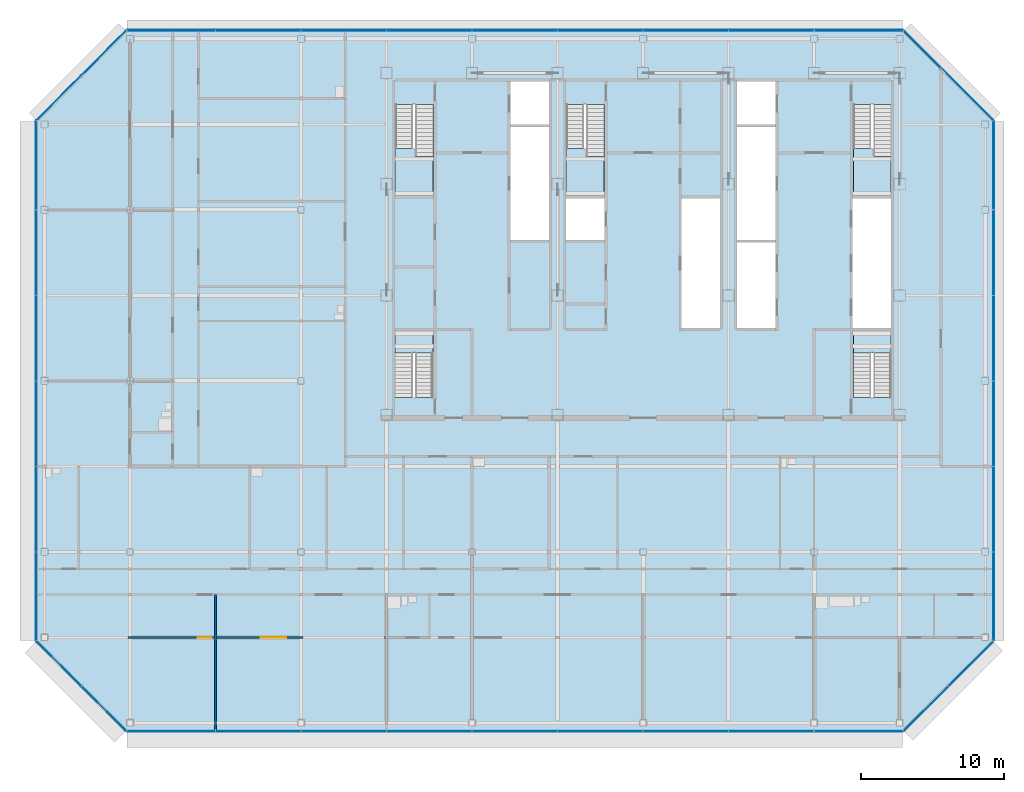
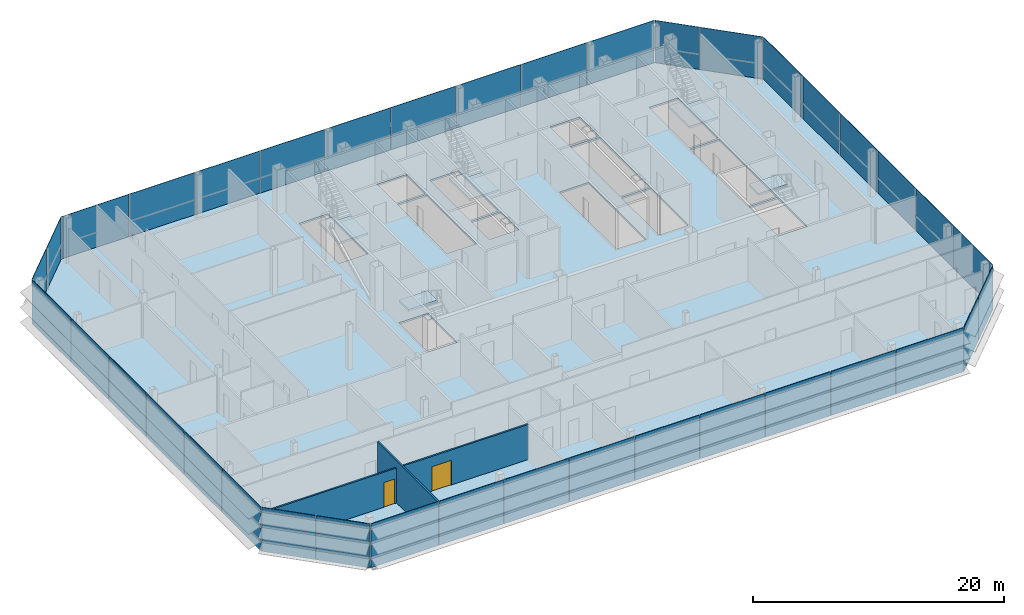
# One storey, part 20 of 29: 38 plates, 6 slabs, 2 doors, 2 walls, 2 openings, 13 elements without a shape of their own.
"""IFC4 building model written with IfcOpenShell, lengths in metres."""

from ifc_helpers import new_model, si_unit, direction, frame, frame_2d, origin, origin_2d, place, context, subcontext, project, spatial, polyline, rectangle, outline, extrude, material, layer, layer_set, type_object, element, fill, aggregate, save


model = new_model("IFC4")

# Units and contexts
model_context = context("Model", 3, precision=1e-05, world=origin(), true_north=direction((0.0, 1.0)))
body_context = subcontext(model_context, "Body", "Model", "MODEL_VIEW")
ifc_project = project(units=[si_unit("LENGTHUNIT", "METRE"), si_unit("AREAUNIT", "SQUARE_METRE"), si_unit("VOLUMEUNIT", "CUBIC_METRE"), si_unit("PLANEANGLEUNIT", "RADIAN"), si_unit("MASSUNIT", "GRAM", prefix="KILO")], contexts=[model_context])

# Site, building, storey
site_placement = place(None, origin())
site = spatial("IfcSite", under=ifc_project, at=site_placement, CompositionType="ELEMENT")
building_placement = place(site_placement, origin())
building = spatial("IfcBuilding", under=site, at=building_placement, Name="Sorahane Residences", CompositionType="ELEMENT")
storey_placement = place(building_placement, frame((0.0, 0.0, 326.800048828125)))
storey = spatial("IfcBuildingStorey", under=building, at=storey_placement, Name="L78", CompositionType="ELEMENT", Elevation=326.800048828125)

# Slab
ifc_material_1 = material(Name="Concrete C35", Category="concrete")
ifc_layer_1 = layer(ifc_material_1, 0.179931640625)
ifc_layer_set_1 = layer_set([ifc_layer_1], Name="Composite floor slab 180 mm Concrete C35")
slab_type_1 = type_object("IfcSlabType", Name="Composite floor slab 180 mm Concrete C35", PredefinedType="FLOOR", material=ifc_layer_set_1)
slab_1_placement = place(storey_placement, frame((0.0, 0.0, -0.179931640625)))
element("IfcSlab", 1, at=slab_1_placement, inside=storey, type_object=slab_type_1, Name="Slab L78", PredefinedType="FLOOR", context=body_context, shape_type="SweptSolid", body=[
    extrude(outline(polyline([(-12.24853515625, -0.60009765625), (-18.60009765625, 5.75146484375), (-18.60009765625, 42.24853515625), (-12.24853515625, 48.60009765625), (42.24853515625, 48.60009765625), (48.60009765625, 42.24853515625), (48.60009765625, 5.75146484375), (42.24853515625, -0.60009765625), (-12.24853515625, -0.60009765625)]), holes=[polyline([(38.699951171875, 27.699951171875), (41.39990234375, 27.699951171875), (41.39990234375, 36.800048828125), (38.699951171875, 36.800048828125), (38.699951171875, 27.699951171875)]), polyline([(30.60009765625, 27.699951171875), (33.300048828125, 27.699951171875), (33.300048828125, 33.699951171875), (30.60009765625, 33.699951171875), (30.60009765625, 27.699951171875)]), polyline([(30.60009765625, 42.0), (33.300048828125, 42.0), (33.300048828125, 45.0), (30.60009765625, 45.0), (30.60009765625, 42.0)]), polyline([(14.699951171875, 42.0), (17.39990234375, 42.0), (17.39990234375, 45.0), (14.699951171875, 45.0), (14.699951171875, 42.0)]), polyline([(6.60009765625, 43.39990234375), (6.60009765625, 37.0), (9.25, 37.0), (9.25, 43.39990234375), (6.60009765625, 43.39990234375)]), polyline([(38.75, 43.39990234375), (38.75, 37.0), (41.39990234375, 37.0), (41.39990234375, 43.39990234375), (38.75, 43.39990234375)]), polyline([(18.60009765625, 43.39990234375), (18.60009765625, 37.0), (21.25, 37.0), (21.25, 43.39990234375), (18.60009765625, 43.39990234375)]), polyline([(9.25, 22.85009765625), (9.25, 27.5), (6.60009765625, 27.5), (6.60009765625, 22.85009765625), (9.25, 22.85009765625)]), polyline([(41.39990234375, 22.85009765625), (41.39990234375, 27.5), (38.75, 27.5), (38.75, 22.85009765625), (41.39990234375, 22.85009765625)]), polyline([(14.699951171875, 33.89990234375), (17.39990234375, 33.89990234375), (17.39990234375, 41.800048828125), (14.699951171875, 41.800048828125), (14.699951171875, 33.89990234375)]), polyline([(30.60009765625, 33.89990234375), (33.300048828125, 33.89990234375), (33.300048828125, 41.800048828125), (30.60009765625, 41.800048828125), (30.60009765625, 33.89990234375)]), polyline([(18.60009765625, 33.89990234375), (21.300048828125, 33.89990234375), (21.300048828125, 36.800048828125), (18.60009765625, 36.800048828125), (18.60009765625, 33.89990234375)]), polyline([(26.699951171875, 27.699951171875), (29.39990234375, 27.699951171875), (29.39990234375, 36.800048828125), (26.699951171875, 36.800048828125), (26.699951171875, 27.699951171875)])]), origin(), (0.0, 0.0, 1.0), 0.179931640625),
])

# Curtain wall, plates
ifc_material_2 = material(Name="Dark low-e glass and black anodised aluminium", Category="aluminium")
curtain_wall_type_1 = type_object("IfcCurtainWallType", Name="Curtain wall CW-1 Typical unitised wall", PredefinedType="NOTDEFINED", material=ifc_material_2)
curtain_wall_1_placement = place(storey_placement, origin())
curtain_wall_1 = element("IfcCurtainWall", 2, at=curtain_wall_1_placement, inside=storey, type_object=curtain_wall_type_1, Name="CW-1 curtain wall L78 S1", PredefinedType="NOTDEFINED")
ifc_material_3 = material(Name="Dark low-e glass with black ceramic frit", Category="glass")
ifc_layer_2 = layer(ifc_material_3, 0.0400390625)
ifc_layer_set_2 = layer_set([ifc_layer_2], Name="Curtain wall glass panel dark low-e with black frit spandrel band")
plate_type = type_object("IfcPlateType", Name="Curtain wall glass panel dark low-e with black frit spandrel band", PredefinedType="CURTAIN_PANEL", material=ifc_layer_set_2)
plate_1_placement = place(storey_placement, frame((-9.11181640625, -0.60009765625, -0.18017578125), z_axis=(0.0, 0.0, 1.0), x_axis=(1.0, 0.0, 0.0)))
plate_1 = element("IfcPlate", 3, at=plate_1_placement, type_object=plate_type, Name="CW-1 glass panel L78 S1.1", PredefinedType="CURTAIN_PANEL", context=body_context, shape_type="SweptSolid", body=[
    extrude(rectangle(XDim=6.173583984375, YDim=0.0400390625, at=origin_2d()), origin(), (0.0, 0.0, 1.0), 4.280029296875),
])
plate_2_placement = place(storey_placement, frame((-3.0, -0.60009765625, -0.18017578125), z_axis=(0.0, 0.0, 1.0), x_axis=(1.0, 0.0, 0.0)))
plate_2 = element("IfcPlate", 4, at=plate_2_placement, type_object=plate_type, Name="CW-1 glass panel L78 S1.2", PredefinedType="CURTAIN_PANEL", context=body_context, shape_type="SweptSolid", body=[
    extrude(rectangle(XDim=5.949951171875, YDim=0.0400390625, at=origin_2d()), origin(), (0.0, 0.0, 1.0), 4.280029296875),
])
plate_3_placement = place(storey_placement, frame((3.0, -0.60009765625, -0.18017578125), z_axis=(0.0, 0.0, 1.0), x_axis=(1.0, 0.0, 0.0)))
plate_3 = element("IfcPlate", 5, at=plate_3_placement, type_object=plate_type, Name="CW-1 glass panel L78 S1.3", PredefinedType="CURTAIN_PANEL", context=body_context, shape_type="SweptSolid", body=[
    extrude(rectangle(XDim=5.949951171875, YDim=0.0400390625, at=origin_2d()), origin(), (0.0, 0.0, 1.0), 4.280029296875),
])
plate_4_placement = place(storey_placement, frame((9.0, -0.60009765625, -0.18017578125), z_axis=(0.0, 0.0, 1.0), x_axis=(1.0, 0.0, 0.0)))
plate_4 = element("IfcPlate", 6, at=plate_4_placement, type_object=plate_type, Name="CW-1 glass panel L78 S1.4", PredefinedType="CURTAIN_PANEL", context=body_context, shape_type="SweptSolid", body=[
    extrude(rectangle(XDim=5.949951171875, YDim=0.0400390625, at=origin_2d()), origin(), (0.0, 0.0, 1.0), 4.280029296875),
])
plate_5_placement = place(storey_placement, frame((15.0, -0.60009765625, -0.18017578125), z_axis=(0.0, 0.0, 1.0), x_axis=(1.0, 0.0, 0.0)))
plate_5 = element("IfcPlate", 7, at=plate_5_placement, type_object=plate_type, Name="CW-1 glass panel L78 S1.5", PredefinedType="CURTAIN_PANEL", context=body_context, shape_type="SweptSolid", body=[
    extrude(rectangle(XDim=5.949951171875, YDim=0.0400390625, at=origin_2d()), origin(), (0.0, 0.0, 1.0), 4.280029296875),
])
plate_6_placement = place(storey_placement, frame((21.0, -0.60009765625, -0.18017578125), z_axis=(0.0, 0.0, 1.0), x_axis=(1.0, 0.0, 0.0)))
plate_6 = element("IfcPlate", 8, at=plate_6_placement, type_object=plate_type, Name="CW-1 glass panel L78 S1.6", PredefinedType="CURTAIN_PANEL", context=body_context, shape_type="SweptSolid", body=[
    extrude(rectangle(XDim=5.949951171875, YDim=0.0400390625, at=origin_2d()), origin(), (0.0, 0.0, 1.0), 4.280029296875),
])
plate_7_placement = place(storey_placement, frame((27.0, -0.60009765625, -0.18017578125), z_axis=(0.0, 0.0, 1.0), x_axis=(1.0, 0.0, 0.0)))
plate_7 = element("IfcPlate", 9, at=plate_7_placement, type_object=plate_type, Name="CW-1 glass panel L78 S1.7", PredefinedType="CURTAIN_PANEL", context=body_context, shape_type="SweptSolid", body=[
    extrude(rectangle(XDim=5.949951171875, YDim=0.0400390625, at=origin_2d()), origin(), (0.0, 0.0, 1.0), 4.280029296875),
])
plate_8_placement = place(storey_placement, frame((33.0, -0.60009765625, -0.18017578125), z_axis=(0.0, 0.0, 1.0), x_axis=(1.0, 0.0, 0.0)))
plate_8 = element("IfcPlate", 10, at=plate_8_placement, type_object=plate_type, Name="CW-1 glass panel L78 S1.8", PredefinedType="CURTAIN_PANEL", context=body_context, shape_type="SweptSolid", body=[
    extrude(rectangle(XDim=5.949951171875, YDim=0.0400390625, at=origin_2d()), origin(), (0.0, 0.0, 1.0), 4.280029296875),
])
plate_9_placement = place(storey_placement, frame((39.11181640625, -0.60009765625, -0.18017578125), z_axis=(0.0, 0.0, 1.0), x_axis=(1.0, 0.0, 0.0)))
plate_9 = element("IfcPlate", 11, at=plate_9_placement, type_object=plate_type, Name="CW-1 glass panel L78 S1.9", PredefinedType="CURTAIN_PANEL", context=body_context, shape_type="SweptSolid", body=[
    extrude(rectangle(XDim=6.173583984375, YDim=0.0400390625, at=origin_2d()), origin(), (0.0, 0.0, 1.0), 4.280029296875),
])
aggregate(curtain_wall_1, [plate_1, plate_2, plate_3, plate_4, plate_5, plate_6, plate_7, plate_8, plate_9])

ifc_material_4 = material(Name="Dark low-e glass and black anodised aluminium", Category="aluminium")
curtain_wall_type_2 = type_object("IfcCurtainWallType", Name="Curtain wall CW-2 Chamfer unitised wall", PredefinedType="NOTDEFINED", material=ifc_material_4)
curtain_wall_2_placement = place(storey_placement, origin())
curtain_wall_2 = element("IfcCurtainWall", 12, at=curtain_wall_2_placement, inside=storey, type_object=curtain_wall_type_2, Name="CW-2 curtain wall L78 SE1", PredefinedType="NOTDEFINED")
plate_10_placement = place(storey_placement, frame((43.84521484375, 0.996826171875, -0.18017578125), z_axis=(0.0, 0.0, 1.0), x_axis=(0.707106781187, 0.707106781187, 0.0)))
plate_10 = element("IfcPlate", 13, at=plate_10_placement, type_object=plate_type, Name="CW-2 glass panel L78 SE1.1", PredefinedType="CURTAIN_PANEL", context=body_context, shape_type="SweptSolid", body=[
    extrude(rectangle(XDim=4.416259765625, YDim=0.0400390625, at=origin_2d()), origin(), (0.0, 0.0, 1.0), 4.280029296875),
])
plate_11_placement = place(storey_placement, frame((47.003173828125, 4.15478515625, -0.18017578125), z_axis=(0.0, 0.0, 1.0), x_axis=(0.707106781187, 0.707106781187, 0.0)))
plate_11 = element("IfcPlate", 14, at=plate_11_placement, type_object=plate_type, Name="CW-2 glass panel L78 SE1.2", PredefinedType="CURTAIN_PANEL", context=body_context, shape_type="SweptSolid", body=[
    extrude(rectangle(XDim=4.416259765625, YDim=0.0400390625, at=origin_2d()), origin(), (0.0, 0.0, 1.0), 4.280029296875),
])
aggregate(curtain_wall_2, [plate_10, plate_11])

curtain_wall_3_placement = place(storey_placement, origin())
curtain_wall_3 = element("IfcCurtainWall", 15, at=curtain_wall_3_placement, inside=storey, type_object=curtain_wall_type_1, Name="CW-1 curtain wall L78 E1", PredefinedType="NOTDEFINED")
plate_12_placement = place(storey_placement, frame((48.60009765625, 8.88818359375, -0.18017578125), z_axis=(0.0, 0.0, 1.0), x_axis=(0.0, 1.0, 0.0)))
plate_12 = element("IfcPlate", 16, at=plate_12_placement, type_object=plate_type, Name="CW-1 glass panel L78 E1.1", PredefinedType="CURTAIN_PANEL", context=body_context, shape_type="SweptSolid", body=[
    extrude(rectangle(XDim=6.173583984375, YDim=0.0400390625, at=origin_2d()), origin(), (0.0, 0.0, 1.0), 4.280029296875),
])
plate_13_placement = place(storey_placement, frame((48.60009765625, 15.0, -0.18017578125), z_axis=(0.0, 0.0, 1.0), x_axis=(0.0, 1.0, 0.0)))
plate_13 = element("IfcPlate", 17, at=plate_13_placement, type_object=plate_type, Name="CW-1 glass panel L78 E1.2", PredefinedType="CURTAIN_PANEL", context=body_context, shape_type="SweptSolid", body=[
    extrude(rectangle(XDim=5.949951171875, YDim=0.0400390625, at=origin_2d()), origin(), (0.0, 0.0, 1.0), 4.280029296875),
])
plate_14_placement = place(storey_placement, frame((48.60009765625, 21.0, -0.18017578125), z_axis=(0.0, 0.0, 1.0), x_axis=(0.0, 1.0, 0.0)))
plate_14 = element("IfcPlate", 18, at=plate_14_placement, type_object=plate_type, Name="CW-1 glass panel L78 E1.3", PredefinedType="CURTAIN_PANEL", context=body_context, shape_type="SweptSolid", body=[
    extrude(rectangle(XDim=5.949951171875, YDim=0.0400390625, at=origin_2d()), origin(), (0.0, 0.0, 1.0), 4.280029296875),
])
plate_15_placement = place(storey_placement, frame((48.60009765625, 27.0, -0.18017578125), z_axis=(0.0, 0.0, 1.0), x_axis=(0.0, 1.0, 0.0)))
plate_15 = element("IfcPlate", 19, at=plate_15_placement, type_object=plate_type, Name="CW-1 glass panel L78 E1.4", PredefinedType="CURTAIN_PANEL", context=body_context, shape_type="SweptSolid", body=[
    extrude(rectangle(XDim=5.949951171875, YDim=0.0400390625, at=origin_2d()), origin(), (0.0, 0.0, 1.0), 4.280029296875),
])
plate_16_placement = place(storey_placement, frame((48.60009765625, 33.0, -0.18017578125), z_axis=(0.0, 0.0, 1.0), x_axis=(0.0, 1.0, 0.0)))
plate_16 = element("IfcPlate", 20, at=plate_16_placement, type_object=plate_type, Name="CW-1 glass panel L78 E1.5", PredefinedType="CURTAIN_PANEL", context=body_context, shape_type="SweptSolid", body=[
    extrude(rectangle(XDim=5.949951171875, YDim=0.0400390625, at=origin_2d()), origin(), (0.0, 0.0, 1.0), 4.280029296875),
])
plate_17_placement = place(storey_placement, frame((48.60009765625, 39.11181640625, -0.18017578125), z_axis=(0.0, 0.0, 1.0), x_axis=(0.0, 1.0, 0.0)))
plate_17 = element("IfcPlate", 21, at=plate_17_placement, type_object=plate_type, Name="CW-1 glass panel L78 E1.6", PredefinedType="CURTAIN_PANEL", context=body_context, shape_type="SweptSolid", body=[
    extrude(rectangle(XDim=6.173583984375, YDim=0.0400390625, at=origin_2d()), origin(), (0.0, 0.0, 1.0), 4.280029296875),
])
aggregate(curtain_wall_3, [plate_12, plate_13, plate_14, plate_15, plate_16, plate_17])

curtain_wall_4_placement = place(storey_placement, origin())
curtain_wall_4 = element("IfcCurtainWall", 22, at=curtain_wall_4_placement, inside=storey, type_object=curtain_wall_type_2, Name="CW-2 curtain wall L78 NE1", PredefinedType="NOTDEFINED")
plate_18_placement = place(storey_placement, frame((46.740966796875, 44.107421875, -0.18017578125), z_axis=(0.0, 0.0, 1.0), x_axis=(-0.707106781187, 0.707106781187, 0.0)))
plate_18 = element("IfcPlate", 23, at=plate_18_placement, type_object=plate_type, Name="CW-2 glass panel L78 NE1.1", PredefinedType="CURTAIN_PANEL", context=body_context, shape_type="SweptSolid", body=[
    extrude(rectangle(XDim=5.157958984375, YDim=0.0400390625, at=origin_2d()), origin(), (0.0, 0.0, 1.0), 4.280029296875),
])
plate_19_placement = place(storey_placement, frame((43.5830078125, 47.265625, -0.18017578125), z_axis=(0.0, 0.0, 1.0), x_axis=(-0.707106781187, 0.707106781187, 0.0)))
plate_19 = element("IfcPlate", 24, at=plate_19_placement, type_object=plate_type, Name="CW-2 glass panel L78 NE1.2", PredefinedType="CURTAIN_PANEL", context=body_context, shape_type="SweptSolid", body=[
    extrude(rectangle(XDim=3.67431640625, YDim=0.0400390625, at=origin_2d()), origin(), (0.0, 0.0, 1.0), 4.280029296875),
])
aggregate(curtain_wall_4, [plate_18, plate_19])

curtain_wall_5_placement = place(storey_placement, origin())
curtain_wall_5 = element("IfcCurtainWall", 25, at=curtain_wall_5_placement, inside=storey, type_object=curtain_wall_type_1, Name="CW-1 curtain wall L78 N1", PredefinedType="NOTDEFINED")
plate_20_placement = place(storey_placement, frame((39.11181640625, 48.60009765625, -0.18017578125), z_axis=(0.0, 0.0, 1.0), x_axis=(-1.0, 0.0, 0.0)))
plate_20 = element("IfcPlate", 26, at=plate_20_placement, type_object=plate_type, Name="CW-1 glass panel L78 N1.1", PredefinedType="CURTAIN_PANEL", context=body_context, shape_type="SweptSolid", body=[
    extrude(rectangle(XDim=6.173583984375, YDim=0.0400390625, at=origin_2d()), origin(), (0.0, 0.0, 1.0), 4.280029296875),
])
plate_21_placement = place(storey_placement, frame((33.0, 48.60009765625, -0.18017578125), z_axis=(0.0, 0.0, 1.0), x_axis=(-1.0, 0.0, 0.0)))
plate_21 = element("IfcPlate", 27, at=plate_21_placement, type_object=plate_type, Name="CW-1 glass panel L78 N1.2", PredefinedType="CURTAIN_PANEL", context=body_context, shape_type="SweptSolid", body=[
    extrude(rectangle(XDim=5.949951171875, YDim=0.0400390625, at=origin_2d()), origin(), (0.0, 0.0, 1.0), 4.280029296875),
])
plate_22_placement = place(storey_placement, frame((27.0, 48.60009765625, -0.18017578125), z_axis=(0.0, 0.0, 1.0), x_axis=(-1.0, 0.0, 0.0)))
plate_22 = element("IfcPlate", 28, at=plate_22_placement, type_object=plate_type, Name="CW-1 glass panel L78 N1.3", PredefinedType="CURTAIN_PANEL", context=body_context, shape_type="SweptSolid", body=[
    extrude(rectangle(XDim=5.949951171875, YDim=0.0400390625, at=origin_2d()), origin(), (0.0, 0.0, 1.0), 4.280029296875),
])
plate_23_placement = place(storey_placement, frame((21.0, 48.60009765625, -0.18017578125), z_axis=(0.0, 0.0, 1.0), x_axis=(-1.0, 0.0, 0.0)))
plate_23 = element("IfcPlate", 29, at=plate_23_placement, type_object=plate_type, Name="CW-1 glass panel L78 N1.4", PredefinedType="CURTAIN_PANEL", context=body_context, shape_type="SweptSolid", body=[
    extrude(rectangle(XDim=5.949951171875, YDim=0.0400390625, at=origin_2d()), origin(), (0.0, 0.0, 1.0), 4.280029296875),
])
plate_24_placement = place(storey_placement, frame((15.0, 48.60009765625, -0.18017578125), z_axis=(0.0, 0.0, 1.0), x_axis=(-1.0, 0.0, 0.0)))
plate_24 = element("IfcPlate", 30, at=plate_24_placement, type_object=plate_type, Name="CW-1 glass panel L78 N1.5", PredefinedType="CURTAIN_PANEL", context=body_context, shape_type="SweptSolid", body=[
    extrude(rectangle(XDim=5.949951171875, YDim=0.0400390625, at=origin_2d()), origin(), (0.0, 0.0, 1.0), 4.280029296875),
])
plate_25_placement = place(storey_placement, frame((9.0, 48.60009765625, -0.18017578125), z_axis=(0.0, 0.0, 1.0), x_axis=(-1.0, 0.0, 0.0)))
plate_25 = element("IfcPlate", 31, at=plate_25_placement, type_object=plate_type, Name="CW-1 glass panel L78 N1.6", PredefinedType="CURTAIN_PANEL", context=body_context, shape_type="SweptSolid", body=[
    extrude(rectangle(XDim=5.949951171875, YDim=0.0400390625, at=origin_2d()), origin(), (0.0, 0.0, 1.0), 4.280029296875),
])
plate_26_placement = place(storey_placement, frame((3.0, 48.60009765625, -0.18017578125), z_axis=(0.0, 0.0, 1.0), x_axis=(-1.0, 0.0, 0.0)))
plate_26 = element("IfcPlate", 32, at=plate_26_placement, type_object=plate_type, Name="CW-1 glass panel L78 N1.7", PredefinedType="CURTAIN_PANEL", context=body_context, shape_type="SweptSolid", body=[
    extrude(rectangle(XDim=5.949951171875, YDim=0.0400390625, at=origin_2d()), origin(), (0.0, 0.0, 1.0), 4.280029296875),
])
plate_27_placement = place(storey_placement, frame((-3.0, 48.60009765625, -0.18017578125), z_axis=(0.0, 0.0, 1.0), x_axis=(-1.0, 0.0, 0.0)))
plate_27 = element("IfcPlate", 33, at=plate_27_placement, type_object=plate_type, Name="CW-1 glass panel L78 N1.8", PredefinedType="CURTAIN_PANEL", context=body_context, shape_type="SweptSolid", body=[
    extrude(rectangle(XDim=5.949951171875, YDim=0.0400390625, at=origin_2d()), origin(), (0.0, 0.0, 1.0), 4.280029296875),
])
plate_28_placement = place(storey_placement, frame((-9.11181640625, 48.60009765625, -0.18017578125), z_axis=(0.0, 0.0, 1.0), x_axis=(-1.0, 0.0, 0.0)))
plate_28 = element("IfcPlate", 34, at=plate_28_placement, type_object=plate_type, Name="CW-1 glass panel L78 N1.9", PredefinedType="CURTAIN_PANEL", context=body_context, shape_type="SweptSolid", body=[
    extrude(rectangle(XDim=6.173583984375, YDim=0.0400390625, at=origin_2d()), origin(), (0.0, 0.0, 1.0), 4.280029296875),
])
aggregate(curtain_wall_5, [plate_20, plate_21, plate_22, plate_23, plate_24, plate_25, plate_26, plate_27, plate_28])

curtain_wall_6_placement = place(storey_placement, origin())
curtain_wall_6 = element("IfcCurtainWall", 35, at=curtain_wall_6_placement, inside=storey, type_object=curtain_wall_type_2, Name="CW-2 curtain wall L78 NW1", PredefinedType="NOTDEFINED")
plate_29_placement = place(storey_placement, frame((-13.84521484375, 47.003173828125, -0.18017578125), z_axis=(0.0, 0.0, 1.0), x_axis=(-0.707106781187, -0.707106781187, 0.0)))
plate_29 = element("IfcPlate", 36, at=plate_29_placement, type_object=plate_type, Name="CW-2 glass panel L78 NW1.1", PredefinedType="CURTAIN_PANEL", context=body_context, shape_type="SweptSolid", body=[
    extrude(rectangle(XDim=4.416259765625, YDim=0.0400390625, at=origin_2d()), origin(), (0.0, 0.0, 1.0), 4.280029296875),
])
plate_30_placement = place(storey_placement, frame((-17.003173828125, 43.84521484375, -0.18017578125), z_axis=(0.0, 0.0, 1.0), x_axis=(-0.707106781187, -0.707106781187, 0.0)))
plate_30 = element("IfcPlate", 37, at=plate_30_placement, type_object=plate_type, Name="CW-2 glass panel L78 NW1.2", PredefinedType="CURTAIN_PANEL", context=body_context, shape_type="SweptSolid", body=[
    extrude(rectangle(XDim=4.416259765625, YDim=0.0400390625, at=origin_2d()), origin(), (0.0, 0.0, 1.0), 4.280029296875),
])
aggregate(curtain_wall_6, [plate_29, plate_30])

curtain_wall_7_placement = place(storey_placement, origin())
curtain_wall_7 = element("IfcCurtainWall", 38, at=curtain_wall_7_placement, inside=storey, type_object=curtain_wall_type_1, Name="CW-1 curtain wall L78 W1", PredefinedType="NOTDEFINED")
plate_31_placement = place(storey_placement, frame((-18.60009765625, 39.11181640625, -0.18017578125), z_axis=(0.0, 0.0, 1.0), x_axis=(0.0, -1.0, 0.0)))
plate_31 = element("IfcPlate", 39, at=plate_31_placement, type_object=plate_type, Name="CW-1 glass panel L78 W1.1", PredefinedType="CURTAIN_PANEL", context=body_context, shape_type="SweptSolid", body=[
    extrude(rectangle(XDim=6.173583984375, YDim=0.0400390625, at=origin_2d()), origin(), (0.0, 0.0, 1.0), 4.280029296875),
])
plate_32_placement = place(storey_placement, frame((-18.60009765625, 33.0, -0.18017578125), z_axis=(0.0, 0.0, 1.0), x_axis=(0.0, -1.0, 0.0)))
plate_32 = element("IfcPlate", 40, at=plate_32_placement, type_object=plate_type, Name="CW-1 glass panel L78 W1.2", PredefinedType="CURTAIN_PANEL", context=body_context, shape_type="SweptSolid", body=[
    extrude(rectangle(XDim=5.949951171875, YDim=0.0400390625, at=origin_2d()), origin(), (0.0, 0.0, 1.0), 4.280029296875),
])
plate_33_placement = place(storey_placement, frame((-18.60009765625, 27.0, -0.18017578125), z_axis=(0.0, 0.0, 1.0), x_axis=(0.0, -1.0, 0.0)))
plate_33 = element("IfcPlate", 41, at=plate_33_placement, type_object=plate_type, Name="CW-1 glass panel L78 W1.3", PredefinedType="CURTAIN_PANEL", context=body_context, shape_type="SweptSolid", body=[
    extrude(rectangle(XDim=5.949951171875, YDim=0.0400390625, at=origin_2d()), origin(), (0.0, 0.0, 1.0), 4.280029296875),
])
plate_34_placement = place(storey_placement, frame((-18.60009765625, 21.0, -0.18017578125), z_axis=(0.0, 0.0, 1.0), x_axis=(0.0, -1.0, 0.0)))
plate_34 = element("IfcPlate", 42, at=plate_34_placement, type_object=plate_type, Name="CW-1 glass panel L78 W1.4", PredefinedType="CURTAIN_PANEL", context=body_context, shape_type="SweptSolid", body=[
    extrude(rectangle(XDim=5.949951171875, YDim=0.0400390625, at=origin_2d()), origin(), (0.0, 0.0, 1.0), 4.280029296875),
])
plate_35_placement = place(storey_placement, frame((-18.60009765625, 15.0, -0.18017578125), z_axis=(0.0, 0.0, 1.0), x_axis=(0.0, -1.0, 0.0)))
plate_35 = element("IfcPlate", 43, at=plate_35_placement, type_object=plate_type, Name="CW-1 glass panel L78 W1.5", PredefinedType="CURTAIN_PANEL", context=body_context, shape_type="SweptSolid", body=[
    extrude(rectangle(XDim=5.949951171875, YDim=0.0400390625, at=origin_2d()), origin(), (0.0, 0.0, 1.0), 4.280029296875),
])
plate_36_placement = place(storey_placement, frame((-18.60009765625, 8.88818359375, -0.18017578125), z_axis=(0.0, 0.0, 1.0), x_axis=(0.0, -1.0, 0.0)))
plate_36 = element("IfcPlate", 44, at=plate_36_placement, type_object=plate_type, Name="CW-1 glass panel L78 W1.6", PredefinedType="CURTAIN_PANEL", context=body_context, shape_type="SweptSolid", body=[
    extrude(rectangle(XDim=6.173583984375, YDim=0.0400390625, at=origin_2d()), origin(), (0.0, 0.0, 1.0), 4.280029296875),
])
aggregate(curtain_wall_7, [plate_31, plate_32, plate_33, plate_34, plate_35, plate_36])

curtain_wall_8_placement = place(storey_placement, origin())
curtain_wall_8 = element("IfcCurtainWall", 45, at=curtain_wall_8_placement, inside=storey, type_object=curtain_wall_type_2, Name="CW-2 curtain wall L78 SW1", PredefinedType="NOTDEFINED")
plate_37_placement = place(storey_placement, frame((-17.003173828125, 4.15478515625, -0.18017578125), z_axis=(0.0, 0.0, 1.0), x_axis=(0.707106781187, -0.707106781187, 0.0)))
plate_37 = element("IfcPlate", 46, at=plate_37_placement, type_object=plate_type, Name="CW-2 glass panel L78 SW1.1", PredefinedType="CURTAIN_PANEL", context=body_context, shape_type="SweptSolid", body=[
    extrude(rectangle(XDim=4.416259765625, YDim=0.0400390625, at=origin_2d()), origin(), (0.0, 0.0, 1.0), 4.280029296875),
])
plate_38_placement = place(storey_placement, frame((-13.84521484375, 0.996826171875, -0.18017578125), z_axis=(0.0, 0.0, 1.0), x_axis=(0.707106781187, -0.707106781187, 0.0)))
plate_38 = element("IfcPlate", 47, at=plate_38_placement, type_object=plate_type, Name="CW-2 glass panel L78 SW1.2", PredefinedType="CURTAIN_PANEL", context=body_context, shape_type="SweptSolid", body=[
    extrude(rectangle(XDim=4.416259765625, YDim=0.0400390625, at=origin_2d()), origin(), (0.0, 0.0, 1.0), 4.280029296875),
])
aggregate(curtain_wall_8, [plate_37, plate_38])

# Stair, slab
ifc_material_5 = material(Name="Concrete C40", Category="concrete")
stair_type = type_object("IfcStairType", Name="Dog-leg stair 1250 Concrete C40", PredefinedType="HALF_TURN_STAIR", material=ifc_material_5)
stair_1_placement = place(storey_placement, origin())
stair_1 = element("IfcStair", 48, at=stair_1_placement, inside=storey, type_object=stair_type, Name="L78 Stair S1", PredefinedType="HALF_TURN_STAIR")
ifc_material_6 = material(Name="Concrete C40", Category="concrete")
ifc_layer_3 = layer(ifc_material_6, 0.199951171875)
ifc_layer_set_3 = layer_set([ifc_layer_3], Name="Stair landing 200 Concrete C40")
slab_type_2 = type_object("IfcSlabType", Name="Stair landing 200 Concrete C40", PredefinedType="LANDING", material=ifc_layer_set_3)
slab_2_placement = place(storey_placement, frame((0.0, 0.0, 1.830810546875)))
slab_2 = element("IfcSlab", 49, at=slab_2_placement, type_object=slab_type_2, Name="S1 landing 1", PredefinedType="LANDING", context=body_context, shape_type="SweptSolid", body=[
    extrude(outline(polyline([(6.60009765625, 40.320068359375), (6.60009765625, 37.0), (9.25, 37.0), (9.25, 39.760009765625), (8.0, 39.760009765625), (8.0, 40.320068359375), (6.60009765625, 40.320068359375)])), origin(), (0.0, 0.0, 1.0), 0.199951171875),
])
aggregate(stair_1, [slab_2])

stair_2_placement = place(storey_placement, origin())
stair_2 = element("IfcStair", 50, at=stair_2_placement, inside=storey, type_object=stair_type, Name="L78 Stair S2", PredefinedType="HALF_TURN_STAIR")
slab_3_placement = place(storey_placement, frame((0.0, 0.0, 1.830810546875)))
slab_3 = element("IfcSlab", 51, at=slab_3_placement, type_object=slab_type_2, Name="S2 landing 1", PredefinedType="LANDING", context=body_context, shape_type="SweptSolid", body=[
    extrude(outline(polyline([(38.75, 40.320068359375), (38.75, 37.0), (41.39990234375, 37.0), (41.39990234375, 39.760009765625), (40.14990234375, 39.760009765625), (40.14990234375, 40.320068359375), (38.75, 40.320068359375)])), origin(), (0.0, 0.0, 1.0), 0.199951171875),
])
aggregate(stair_2, [slab_3])

stair_3_placement = place(storey_placement, origin())
stair_3 = element("IfcStair", 52, at=stair_3_placement, inside=storey, type_object=stair_type, Name="L78 Stair S3", PredefinedType="HALF_TURN_STAIR")
slab_4_placement = place(storey_placement, frame((0.0, 0.0, 1.830810546875)))
slab_4 = element("IfcSlab", 53, at=slab_4_placement, type_object=slab_type_2, Name="S3 landing 1", PredefinedType="LANDING", context=body_context, shape_type="SweptSolid", body=[
    extrude(outline(polyline([(18.60009765625, 40.320068359375), (18.60009765625, 37.0), (21.25, 37.0), (21.25, 39.760009765625), (20.0, 39.760009765625), (20.0, 40.320068359375), (18.60009765625, 40.320068359375)])), origin(), (0.0, 0.0, 1.0), 0.199951171875),
])
aggregate(stair_3, [slab_4])

stair_4_placement = place(storey_placement, origin())
stair_4 = element("IfcStair", 54, at=stair_4_placement, inside=storey, type_object=stair_type, Name="L78 Stair S4", PredefinedType="HALF_TURN_STAIR")
slab_5_placement = place(storey_placement, frame((0.0, 0.0, 2.0)))
slab_5 = element("IfcSlab", 55, at=slab_5_placement, type_object=slab_type_2, Name="S4 landing 1", PredefinedType="LANDING", context=body_context, shape_type="SweptSolid", body=[
    extrude(outline(polyline([(9.25, 25.969970703125), (9.25, 27.5), (6.60009765625, 27.5), (6.60009765625, 25.969970703125), (9.25, 25.969970703125)])), origin(), (0.0, 0.0, 1.0), 0.199951171875),
])
aggregate(stair_4, [slab_5])

stair_5_placement = place(storey_placement, origin())
stair_5 = element("IfcStair", 56, at=stair_5_placement, inside=storey, type_object=stair_type, Name="L78 Stair S5", PredefinedType="HALF_TURN_STAIR")
slab_6_placement = place(storey_placement, frame((0.0, 0.0, 2.0)))
slab_6 = element("IfcSlab", 57, at=slab_6_placement, type_object=slab_type_2, Name="S5 landing 1", PredefinedType="LANDING", context=body_context, shape_type="SweptSolid", body=[
    extrude(outline(polyline([(41.39990234375, 25.969970703125), (41.39990234375, 27.5), (38.75, 27.5), (38.75, 25.969970703125), (41.39990234375, 25.969970703125)])), origin(), (0.0, 0.0, 1.0), 0.199951171875),
])
aggregate(stair_5, [slab_6])

# Wall
ifc_material_7 = material(Name="Gypsum board partition on steel studs", Category="steel")
ifc_layer_4 = layer(ifc_material_7, 0.14990234375)
ifc_layer_set_4 = layer_set([ifc_layer_4], Name="Partition 150 EI 90")
wall_type = type_object("IfcWallType", Name="Partition 150 EI 90", PredefinedType="PARTITIONING", material=ifc_layer_set_4)
wall_1_placement = place(storey_placement, frame((-6.0, -0.60009765625, 0.0), z_axis=(0.0, 0.0, 1.0), x_axis=(0.0, 1.0, 0.0)))
element("IfcWall", 58, at=wall_1_placement, inside=storey, type_object=wall_type, Name="L78 partition", PredefinedType="PARTITIONING", context=body_context, shape_type="SweptSolid", body=[
    extrude(rectangle(XDim=9.60009765625, YDim=0.14990234375, at=frame_2d((4.800048828125, 0.0))), origin(), (0.0, 0.0, 1.0), 4.099853515625),
])

# Wall, openings, doors
wall_2_placement = place(storey_placement, frame((-18.0, 6.0, 0.0), z_axis=(0.0, 0.0, 1.0), x_axis=(1.0, 0.0, 0.0)))
wall_2 = element("IfcWall", 59, at=wall_2_placement, inside=storey, type_object=wall_type, Name="L78 partition", PredefinedType="PARTITIONING", context=body_context, shape_type="SweptSolid", body=[
    extrude(rectangle(XDim=24.0, YDim=0.14990234375, at=frame_2d((12.0, 0.0))), origin(), (0.0, 0.0, 1.0), 3.39990234375),
])
opening_1_placement = place(wall_2_placement, frame((10.75, 0.0, 0.0)))
opening_1 = element("IfcOpeningElement", 60, at=opening_1_placement, cuts=wall_2, Name="Opening L78-09", PredefinedType="OPENING", context=body_context, shape_type="SweptSolid", body=[
    extrude(rectangle(XDim=1.0, YDim=2.39990234375, at=frame_2d((0.5, 1.199951171875))), frame((0.0, 0.0849609375, 0.0), z_axis=(0.0, -1.0, 0.0), x_axis=(1.0, 0.0, 0.0)), (0.0, 0.0, 1.0), 0.169921875),
])
opening_2_placement = place(wall_2_placement, frame((15.159912109375, 0.0, 0.0)))
opening_2 = element("IfcOpeningElement", 61, at=opening_2_placement, cuts=wall_2, Name="Opening L78-10", PredefinedType="OPENING", context=body_context, shape_type="SweptSolid", body=[
    extrude(rectangle(XDim=1.800048828125, YDim=2.39990234375, at=frame_2d((0.89990234375, 1.199951171875))), frame((0.0, 0.0849609375, 0.0), z_axis=(0.0, -1.0, 0.0), x_axis=(1.0, 0.0, 0.0)), (0.0, 0.0, 1.0), 0.169921875),
])
ifc_material_8 = material(Name="Timber veneered fire door", Category="wood")
door_type_1 = type_object("IfcDoorType", Name="Double door 1800x2400 FD30", OperationType="NOTDEFINED", PredefinedType="DOOR", material=ifc_material_8)
door_1_placement = place(opening_2_placement, frame((1.800048828125, 0.0, 0.0), z_axis=(0.0, 0.0, 1.0), x_axis=(-1.0, 0.0, 0.0)))
door_1 = element("IfcDoor", 62, at=door_1_placement, inside=storey, type_object=door_type_1, Name="Double door L78-10", OperationType="SINGLE_SWING_RIGHT", OverallHeight=2.39990234375, OverallWidth=1.800048828125, PredefinedType="DOOR", context=body_context, shape_type="SweptSolid", body=[
    extrude(rectangle(XDim=1.800048828125, YDim=2.39990234375, at=frame_2d((0.89990234375, 1.199951171875))), frame((0.0, 0.02490234375, 0.0), z_axis=(0.0, -1.0, 0.0), x_axis=(1.0, 0.0, 0.0)), (0.0, 0.0, 1.0), 0.050048828125),
])
fill(opening_2, door_1)
ifc_material_9 = material(Name="Timber veneered fire door", Category="wood")
door_type_2 = type_object("IfcDoorType", Name="Room door 1000x2400 FD30", OperationType="NOTDEFINED", PredefinedType="DOOR", material=ifc_material_9)
door_2_placement = place(opening_1_placement, frame((1.0, 0.0, 0.0), z_axis=(0.0, 0.0, 1.0), x_axis=(-1.0, 0.0, 0.0)))
door_2 = element("IfcDoor", 63, at=door_2_placement, inside=storey, type_object=door_type_2, Name="Room door L78-09", OperationType="SINGLE_SWING_RIGHT", OverallHeight=2.39990234375, OverallWidth=1.0, PredefinedType="DOOR", context=body_context, shape_type="SweptSolid", body=[
    extrude(rectangle(XDim=1.0, YDim=2.39990234375, at=frame_2d((0.5, 1.199951171875))), frame((0.0, 0.02490234375, 0.0), z_axis=(0.0, -1.0, 0.0), x_axis=(1.0, 0.0, 0.0)), (0.0, 0.0, 1.0), 0.050048828125),
])
fill(opening_1, door_2)

save(model, "model.ifc")
